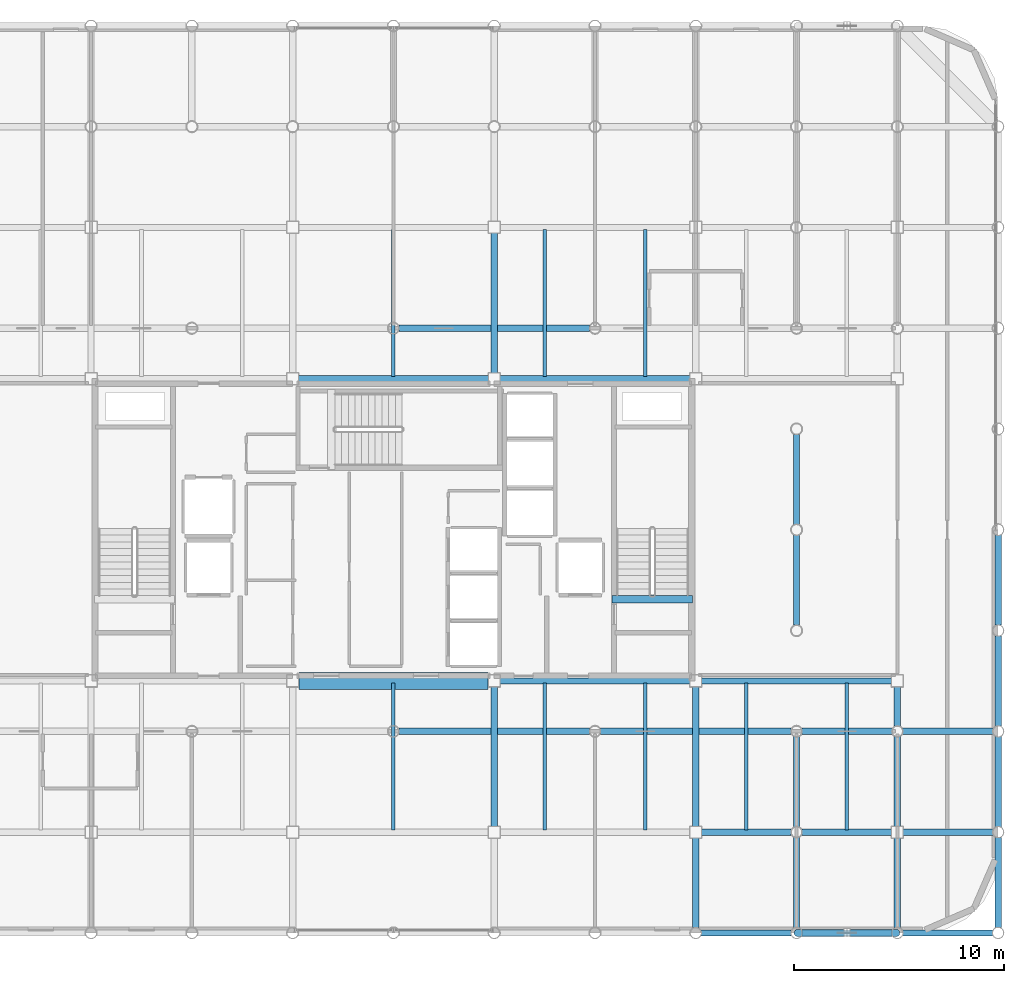
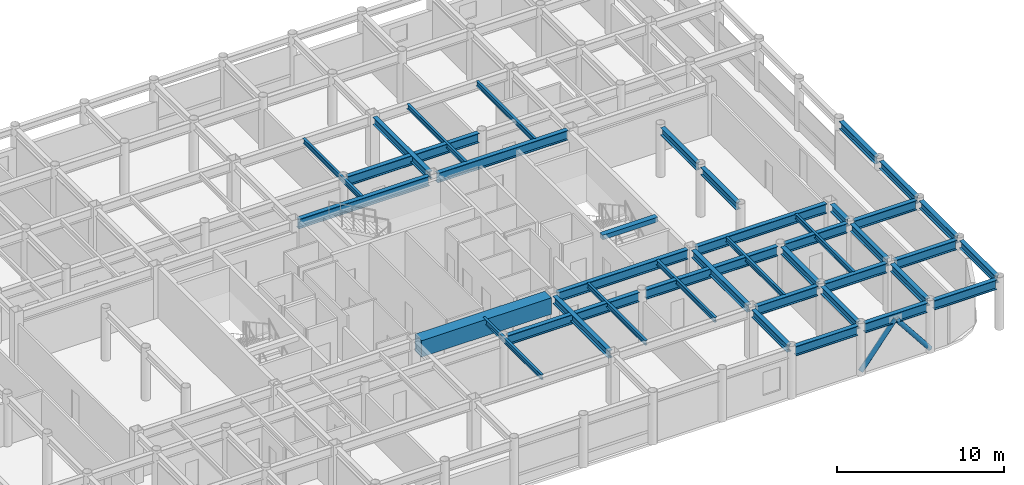
# One storey, part 9 of 22: 40 beams, 2 members.
"""IFC4 building model written with IfcOpenShell, lengths in metres."""

from ifc_helpers import new_model, si_unit, direction, frame, origin, origin_2d, place, context, subcontext, project, spatial, rectangle, hollow_circle, i_section, extrude, material, material_profile, profile_set, type_object, element, save


model = new_model("IFC4")

# Units and contexts
model_context = context("Model", 3, precision=1e-05, world=origin(), true_north=direction((0.0, 1.0)))
body_context = subcontext(model_context, "Body", "Model", "MODEL_VIEW")
ifc_project = project(units=[si_unit("LENGTHUNIT", "METRE"), si_unit("AREAUNIT", "SQUARE_METRE"), si_unit("VOLUMEUNIT", "CUBIC_METRE"), si_unit("PLANEANGLEUNIT", "RADIAN"), si_unit("MASSUNIT", "GRAM", prefix="KILO")], contexts=[model_context])

# Site, building, storey
site_placement = place(None, origin())
site = spatial("IfcSite", under=ifc_project, at=site_placement, CompositionType="ELEMENT")
building_placement = place(site_placement, origin())
building = spatial("IfcBuilding", under=site, at=building_placement, Name="Kallvorn Hotel Tower", CompositionType="ELEMENT")
storey_placement = place(building_placement, frame((0.0, 0.0, 264.64990234375)))
storey = spatial("IfcBuildingStorey", under=building, at=storey_placement, Name="L66", CompositionType="ELEMENT", Elevation=264.64990234375)

# Beams
ifc_material_1 = material(Name="Structural steel S355JR", Category="steel")
ifc_material_profile_1 = material_profile(ifc_material_1, i_section(OverallWidth=0.300048828125, OverallDepth=0.550048828125, WebThickness=0.014892578125, FlangeThickness=0.029052734375, at=origin_2d()), Name="HE 550 B")
ifc_profile_set_1 = profile_set([ifc_material_profile_1], Name="Structural steel S355JR")
beam_type_1 = type_object("IfcBeamType", Name="BM_HE550B", PredefinedType="SPANDREL", material=ifc_profile_set_1)
for number, where, z_axis, x_axis, name in (
    (1, (4.800048828125, -14.125, 3.39501953125), (0.0, 1.0, 0.0), (-1.0, 0.0, 0.0), "L67 Primary Y-Girder 115"),
    (2, (4.800048828125, 7.47509765625, 3.39501953125), (0.0, 1.0, 0.0), (-1.0, 0.0, 0.0), "L67 Primary Y-Girder 116"),
):
    element("IfcBeam", number, at=place(storey_placement, frame(where, z_axis=z_axis, x_axis=x_axis)), inside=storey, type_object=beam_type_1, Name=name, PredefinedType="SPANDREL", context=body_context, shape_type="SweptSolid", body=[
        extrude(i_section(OverallWidth=0.300048828125, OverallDepth=0.550048828125, WebThickness=0.014892578125, FlangeThickness=0.029052734375, at=origin_2d()), origin(), (0.0, 0.0, 1.0), 6.64990234375),
    ])
beam_1_placement = place(storey_placement, frame((14.39990234375, -18.945556640625, 3.39501953125), z_axis=(0.0, 1.0, 0.0), x_axis=(-1.0, 0.0, 0.0)))
element("IfcBeam", 3, at=beam_1_placement, inside=storey, type_object=beam_type_1, Name="L67 Primary Y-Girder 122", PredefinedType="SPANDREL", context=body_context, shape_type="SweptSolid", body=[
    extrude(i_section(OverallWidth=0.300048828125, OverallDepth=0.550048828125, WebThickness=0.014892578125, FlangeThickness=0.029052734375, at=origin_2d()), origin(), (0.0, 0.0, 1.0), 4.2705078125),
])
beam_2_placement = place(storey_placement, frame((14.39990234375, -14.125, 3.39501953125), z_axis=(0.0, 1.0, 0.0), x_axis=(-1.0, 0.0, 0.0)))
element("IfcBeam", 4, at=beam_2_placement, inside=storey, type_object=beam_type_1, Name="L67 Primary Y-Girder 123", PredefinedType="SPANDREL", context=body_context, shape_type="SweptSolid", body=[
    extrude(i_section(OverallWidth=0.300048828125, OverallDepth=0.550048828125, WebThickness=0.014892578125, FlangeThickness=0.029052734375, at=origin_2d()), origin(), (0.0, 0.0, 1.0), 6.64990234375),
])
for number, where, z_axis, x_axis, name in (
    (5, (19.199951171875, -18.945556640625, 3.39501953125), (0.0, 1.0, 0.0), (-1.0, 0.0, 0.0), "L67 Primary Y-Girder 127"),
    (6, (19.199951171875, -14.1455078125, 3.39501953125), (0.0, 1.0, 0.0), (-1.0, 0.0, 0.0), "L67 Primary Y-Girder 128"),
    (7, (19.199951171875, -4.54541015625, 3.39501953125), (0.0, 1.0, 0.0), (-1.0, 0.0, 0.0), "L67 Primary Y-Girder 130"),
    (8, (19.199951171875, 0.25439453125, 3.39501953125), (0.0, 1.0, 0.0), (-1.0, 0.0, 0.0), "L67 Primary Y-Girder 131"),
):
    element("IfcBeam", number, at=place(storey_placement, frame(where, z_axis=z_axis, x_axis=x_axis)), inside=storey, type_object=beam_type_1, Name=name, PredefinedType="SPANDREL", context=body_context, shape_type="SweptSolid", body=[
        extrude(i_section(OverallWidth=0.300048828125, OverallDepth=0.550048828125, WebThickness=0.014892578125, FlangeThickness=0.029052734375, at=origin_2d()), origin(), (0.0, 0.0, 1.0), 4.291015625),
    ])
for number, where, z_axis, x_axis, name in (
    (9, (24.0, -18.945556640625, 3.39501953125), (0.0, 1.0, 0.0), (-1.0, 0.0, 0.0), "L67 Primary Y-Girder 136"),
    (10, (24.0, -14.125, 3.39501953125), (0.0, 1.0, 0.0), (-1.0, 0.0, 0.0), "L67 Primary Y-Girder 137"),
):
    element("IfcBeam", number, at=place(storey_placement, frame(where, z_axis=z_axis, x_axis=x_axis)), inside=storey, type_object=beam_type_1, Name=name, PredefinedType="SPANDREL", context=body_context, shape_type="SweptSolid", body=[
        extrude(i_section(OverallWidth=0.300048828125, OverallDepth=0.550048828125, WebThickness=0.014892578125, FlangeThickness=0.029052734375, at=origin_2d()), origin(), (0.0, 0.0, 1.0), 4.2705078125),
    ])
beam_3_placement = place(storey_placement, frame((24.0, -9.345458984375, 3.39501953125), z_axis=(0.0, 1.0, 0.0), x_axis=(-1.0, 0.0, 0.0)))
element("IfcBeam", 11, at=beam_3_placement, inside=storey, type_object=beam_type_1, Name="L67 Primary Y-Girder 138", PredefinedType="SPANDREL", context=body_context, shape_type="SweptSolid", body=[
    extrude(i_section(OverallWidth=0.300048828125, OverallDepth=0.550048828125, WebThickness=0.014892578125, FlangeThickness=0.029052734375, at=origin_2d()), origin(), (0.0, 0.0, 1.0), 1.870361328125),
])
for number, where, z_axis, x_axis, name in (
    (12, (28.800048828125, -18.945556640625, 3.39501953125), (0.0, 1.0, 0.0), (-1.0, 0.0, 0.0), "L67 Primary Y-Girder 143"),
    (13, (28.800048828125, -14.1455078125, 3.39501953125), (0.0, 1.0, 0.0), (-1.0, 0.0, 0.0), "L67 Primary Y-Girder 144"),
    (14, (28.800048828125, -9.345458984375, 3.39501953125), (0.0, 1.0, 0.0), (-1.0, 0.0, 0.0), "L67 Primary Y-Girder 145"),
    (15, (28.800048828125, -4.54541015625, 3.39501953125), (0.0, 1.0, 0.0), (-1.0, 0.0, 0.0), "L67 Primary Y-Girder 146"),
):
    element("IfcBeam", number, at=place(storey_placement, frame(where, z_axis=z_axis, x_axis=x_axis)), inside=storey, type_object=beam_type_1, Name=name, PredefinedType="SPANDREL", context=body_context, shape_type="SweptSolid", body=[
        extrude(i_section(OverallWidth=0.300048828125, OverallDepth=0.550048828125, WebThickness=0.014892578125, FlangeThickness=0.029052734375, at=origin_2d()), origin(), (0.0, 0.0, 1.0), 4.291015625),
    ])
ifc_material_2 = material(Name="Structural steel S355JR", Category="steel")
ifc_material_profile_2 = material_profile(ifc_material_2, i_section(OverallWidth=0.300048828125, OverallDepth=0.699951171875, WebThickness=0.01708984375, FlangeThickness=0.031982421875, at=origin_2d()), Name="HE 700 B")
ifc_profile_set_2 = profile_set([ifc_material_profile_2], Name="Structural steel S355JR")
beam_type_2 = type_object("IfcBeamType", Name="BM_HE700B", PredefinedType="BEAM", material=ifc_profile_set_2)
for number, where, z_axis, x_axis, name in (
    (16, (14.654541015625, -19.199951171875, 3.320068359375), (1.0, 0.0, 0.0), (0.0, 1.0, 0.0), "L67 Primary X-Girder 10"),
    (17, (19.45458984375, -19.199951171875, 3.320068359375), (1.0, 0.0, 0.0), (0.0, 1.0, 0.0), "L67 Primary X-Girder 11"),
    (18, (24.25439453125, -19.199951171875, 3.320068359375), (1.0, 0.0, 0.0), (0.0, 1.0, 0.0), "L67 Primary X-Girder 12"),
):
    element("IfcBeam", number, at=place(storey_placement, frame(where, z_axis=z_axis, x_axis=x_axis)), inside=storey, type_object=beam_type_2, Name=name, PredefinedType="BEAM", context=body_context, shape_type="SweptSolid", body=[
        extrude(i_section(OverallWidth=0.300048828125, OverallDepth=0.699951171875, WebThickness=0.01708984375, FlangeThickness=0.031982421875, at=origin_2d()), origin(), (0.0, 0.0, 1.0), 4.291015625),
    ])
for number, where, z_axis, x_axis, name in (
    (19, (14.675048828125, -14.39990234375, 3.320068359375), (1.0, 0.0, 0.0), (0.0, 1.0, 0.0), "L67 Primary X-Girder 20"),
    (20, (19.45458984375, -14.39990234375, 3.320068359375), (1.0, 0.0, 0.0), (0.0, 1.0, 0.0), "L67 Primary X-Girder 21"),
    (21, (24.27490234375, -14.39990234375, 3.320068359375), (1.0, 0.0, 0.0), (0.0, 1.0, 0.0), "L67 Primary X-Girder 22"),
):
    element("IfcBeam", number, at=place(storey_placement, frame(where, z_axis=z_axis, x_axis=x_axis)), inside=storey, type_object=beam_type_2, Name=name, PredefinedType="BEAM", context=body_context, shape_type="SweptSolid", body=[
        extrude(i_section(OverallWidth=0.300048828125, OverallDepth=0.699951171875, WebThickness=0.01708984375, FlangeThickness=0.031982421875, at=origin_2d()), origin(), (0.0, 0.0, 1.0), 4.2705078125),
    ])
for number, where, z_axis, x_axis, name in (
    (22, (0.25439453125, -9.60009765625, 3.320068359375), (1.0, 0.0, 0.0), (0.0, 1.0, 0.0), "L67 Primary X-Girder 28"),
    (23, (9.8544921875, -9.60009765625, 3.320068359375), (1.0, 0.0, 0.0), (0.0, 1.0, 0.0), "L67 Primary X-Girder 29"),
):
    element("IfcBeam", number, at=place(storey_placement, frame(where, z_axis=z_axis, x_axis=x_axis)), inside=storey, type_object=beam_type_2, Name=name, PredefinedType="BEAM", context=body_context, shape_type="SweptSolid", body=[
        extrude(i_section(OverallWidth=0.300048828125, OverallDepth=0.699951171875, WebThickness=0.01708984375, FlangeThickness=0.031982421875, at=origin_2d()), origin(), (0.0, 0.0, 1.0), 9.091064453125),
    ])
for number, where, z_axis, x_axis, name in (
    (24, (19.45458984375, -9.60009765625, 3.320068359375), (1.0, 0.0, 0.0), (0.0, 1.0, 0.0), "L67 Primary X-Girder 30"),
    (25, (24.25439453125, -9.60009765625, 3.320068359375), (1.0, 0.0, 0.0), (0.0, 1.0, 0.0), "L67 Primary X-Girder 31"),
):
    element("IfcBeam", number, at=place(storey_placement, frame(where, z_axis=z_axis, x_axis=x_axis)), inside=storey, type_object=beam_type_2, Name=name, PredefinedType="BEAM", context=body_context, shape_type="SweptSolid", body=[
        extrude(i_section(OverallWidth=0.300048828125, OverallDepth=0.699951171875, WebThickness=0.01708984375, FlangeThickness=0.031982421875, at=origin_2d()), origin(), (0.0, 0.0, 1.0), 4.291015625),
    ])
for number, where, z_axis, x_axis, name in (
    (26, (5.074951171875, -7.199951171875, 3.320068359375), (1.0, 0.0, 0.0), (0.0, 1.0, 0.0), "L67 Primary X-Girder 34"),
    (27, (14.675048828125, -7.199951171875, 3.320068359375), (1.0, 0.0, 0.0), (0.0, 1.0, 0.0), "L67 Primary X-Girder 35"),
):
    element("IfcBeam", number, at=place(storey_placement, frame(where, z_axis=z_axis, x_axis=x_axis)), inside=storey, type_object=beam_type_2, Name=name, PredefinedType="BEAM", context=body_context, shape_type="SweptSolid", body=[
        extrude(i_section(OverallWidth=0.300048828125, OverallDepth=0.699951171875, WebThickness=0.01708984375, FlangeThickness=0.031982421875, at=origin_2d()), origin(), (0.0, 0.0, 1.0), 9.050048828125),
    ])
beam_4_placement = place(storey_placement, frame((-4.52490234375, 7.199951171875, 3.320068359375), z_axis=(1.0, 0.0, 0.0), x_axis=(0.0, 1.0, 0.0)))
element("IfcBeam", 28, at=beam_4_placement, inside=storey, type_object=beam_type_2, Name="L67 Primary X-Girder 38", PredefinedType="BEAM", context=body_context, shape_type="SweptSolid", body=[
    extrude(i_section(OverallWidth=0.300048828125, OverallDepth=0.699951171875, WebThickness=0.01708984375, FlangeThickness=0.031982421875, at=origin_2d()), origin(), (0.0, 0.0, 1.0), 9.0498046875),
])
beam_5_placement = place(storey_placement, frame((5.074951171875, 7.199951171875, 3.320068359375), z_axis=(1.0, 0.0, 0.0), x_axis=(0.0, 1.0, 0.0)))
element("IfcBeam", 29, at=beam_5_placement, inside=storey, type_object=beam_type_2, Name="L67 Primary X-Girder 39", PredefinedType="BEAM", context=body_context, shape_type="SweptSolid", body=[
    extrude(i_section(OverallWidth=0.300048828125, OverallDepth=0.699951171875, WebThickness=0.01708984375, FlangeThickness=0.031982421875, at=origin_2d()), origin(), (0.0, 0.0, 1.0), 9.050048828125),
])
beam_6_placement = place(storey_placement, frame((0.25439453125, 9.60009765625, 3.320068359375), z_axis=(1.0, 0.0, 0.0), x_axis=(0.0, 1.0, 0.0)))
element("IfcBeam", 30, at=beam_6_placement, inside=storey, type_object=beam_type_2, Name="L67 Primary X-Girder 46", PredefinedType="BEAM", context=body_context, shape_type="SweptSolid", body=[
    extrude(i_section(OverallWidth=0.300048828125, OverallDepth=0.699951171875, WebThickness=0.01708984375, FlangeThickness=0.031982421875, at=origin_2d()), origin(), (0.0, 0.0, 1.0), 9.091064453125),
])
ifc_material_3 = material(Name="Structural steel S355JR", Category="steel")
ifc_material_profile_3 = material_profile(ifc_material_3, i_section(OverallWidth=0.169921875, OverallDepth=0.360107421875, WebThickness=0.008056640625, FlangeThickness=0.0126953125, at=origin_2d()), Name="IPE 360")
ifc_profile_set_3 = profile_set([ifc_material_profile_3], Name="Structural steel S355JR")
beam_type_3 = type_object("IfcBeamType", Name="BM_IPE360", PredefinedType="JOIST", material=ifc_profile_set_3)
for number, where, z_axis, x_axis, name in (
    (31, (0.0, -14.300048828125, 3.489990234375), (0.0, 1.0, 0.0), (-1.0, 0.0, 0.0), "L67 Secondary Composite Joist 200"),
    (32, (0.0, 7.300048828125, 3.489990234375), (0.0, 1.0, 0.0), (-1.0, 0.0, 0.0), "L67 Secondary Composite Joist 201"),
    (33, (7.199951171875, -14.300048828125, 3.489990234375), (0.0, 1.0, 0.0), (-1.0, 0.0, 0.0), "L67 Secondary Composite Joist 202"),
    (34, (7.199951171875, 7.300048828125, 3.489990234375), (0.0, 1.0, 0.0), (-1.0, 0.0, 0.0), "L67 Secondary Composite Joist 203"),
    (35, (12.0, -14.300048828125, 3.489990234375), (0.0, 1.0, 0.0), (-1.0, 0.0, 0.0), "L67 Secondary Composite Joist 204"),
    (36, (12.0, 7.300048828125, 3.489990234375), (0.0, 1.0, 0.0), (-1.0, 0.0, 0.0), "L67 Secondary Composite Joist 205"),
    (37, (16.800048828125, -14.300048828125, 3.489990234375), (0.0, 1.0, 0.0), (-1.0, 0.0, 0.0), "L67 Secondary Composite Joist 206"),
    (38, (21.60009765625, -14.300048828125, 3.489990234375), (0.0, 1.0, 0.0), (-1.0, 0.0, 0.0), "L67 Secondary Composite Joist 208"),
):
    element("IfcBeam", number, at=place(storey_placement, frame(where, z_axis=z_axis, x_axis=x_axis)), inside=storey, type_object=beam_type_3, Name=name, PredefinedType="JOIST", context=body_context, shape_type="SweptSolid", body=[
        extrude(i_section(OverallWidth=0.169921875, OverallDepth=0.360107421875, WebThickness=0.008056640625, FlangeThickness=0.0126953125, at=origin_2d()), origin(), (0.0, 0.0, 1.0), 7.0),
    ])
ifc_material_4 = material(Name="Concrete C50/60", Category="concrete")
ifc_material_profile_4 = material_profile(ifc_material_4, rectangle(XDim=0.360107421875, YDim=0.340087890625, at=origin_2d()), Name="RC 360x340")
ifc_profile_set_4 = profile_set([ifc_material_profile_4], Name="Concrete C50/60")
beam_type_4 = type_object("IfcBeamType", Name="BM_RC_400x360", PredefinedType="BEAM", material=ifc_profile_set_4)
beam_7_placement = place(storey_placement, frame((14.239990234375, -3.31005859375, 3.5), z_axis=(-1.0, 0.0, 0.0), x_axis=(0.0, -1.0, 0.0)))
element("IfcBeam", 39, at=beam_7_placement, inside=storey, type_object=beam_type_4, Name="L67 Stair ST2 Arrival Trimmer Beam", PredefinedType="BEAM", context=body_context, shape_type="SweptSolid", body=[
    extrude(rectangle(XDim=0.360107421875, YDim=0.340087890625, at=origin_2d()), origin(), (0.0, 0.0, 1.0), 3.820068359375),
])
ifc_material_5 = material(Name="Concrete C50/60", Category="concrete")
ifc_material_profile_5 = material_profile(ifc_material_5, rectangle(XDim=0.800048828125, YDim=1.199951171875, at=origin_2d()), Name="RC 800x1200")
ifc_profile_set_5 = profile_set([ifc_material_profile_5], Name="Concrete C50/60")
beam_type_5 = type_object("IfcBeamType", Name="BM_RC_800x1200", PredefinedType="T_BEAM", material=ifc_profile_set_5)
beam_8_placement = place(storey_placement, frame((-4.5, -7.199951171875, 3.070068359375), z_axis=(1.0, 0.0, 0.0), x_axis=(0.0, 1.0, 0.0)))
element("IfcBeam", 40, at=beam_8_placement, inside=storey, type_object=beam_type_5, Name="L66 Core Coupling Beam South", PredefinedType="T_BEAM", context=body_context, shape_type="SweptSolid", body=[
    extrude(rectangle(XDim=0.800048828125, YDim=1.199951171875, at=origin_2d()), origin(), (0.0, 0.0, 1.0), 9.0),
])

# Members
ifc_material_6 = material(Name="Structural steel S355J2H", Category="steel")
ifc_material_profile_6 = material_profile(ifc_material_6, hollow_circle(Radius=0.161865234375, WallThickness=0.012451171875, at=origin_2d()), Name="CHS 323.9x12.5")
ifc_profile_set_6 = profile_set([ifc_material_profile_6], Name="Structural steel S355J2H")
member_type = type_object("IfcMemberType", Name="MBR_EXO_CHS323", PredefinedType="BRACE", material=ifc_profile_set_6)
for number, where, z_axis, x_axis, name in (
    (41, (19.21240234375, -19.199951171875, 0.19580078125), (0.620928510901, 0.0, 0.783867198159), (0.0, 1.0, 0.0), "L66 Exoskeleton K-Brace S2A"),
    (42, (23.987548828125, -19.199951171875, 0.19580078125), (-0.620928510901, 0.0, 0.783867198159), (0.0, -1.0, 0.0), "L66 Exoskeleton K-Brace S2B"),
):
    element("IfcMember", number, at=place(storey_placement, frame(where, z_axis=z_axis, x_axis=x_axis)), inside=storey, type_object=member_type, Name=name, PredefinedType="BRACE", context=body_context, shape_type="SweptSolid", body=[
        extrude(hollow_circle(Radius=0.161865234375, WallThickness=0.012451171875, at=origin_2d()), origin(), (0.0, 0.0, 1.0), 3.8251953125),
    ])

save(model, "model.ifc")
